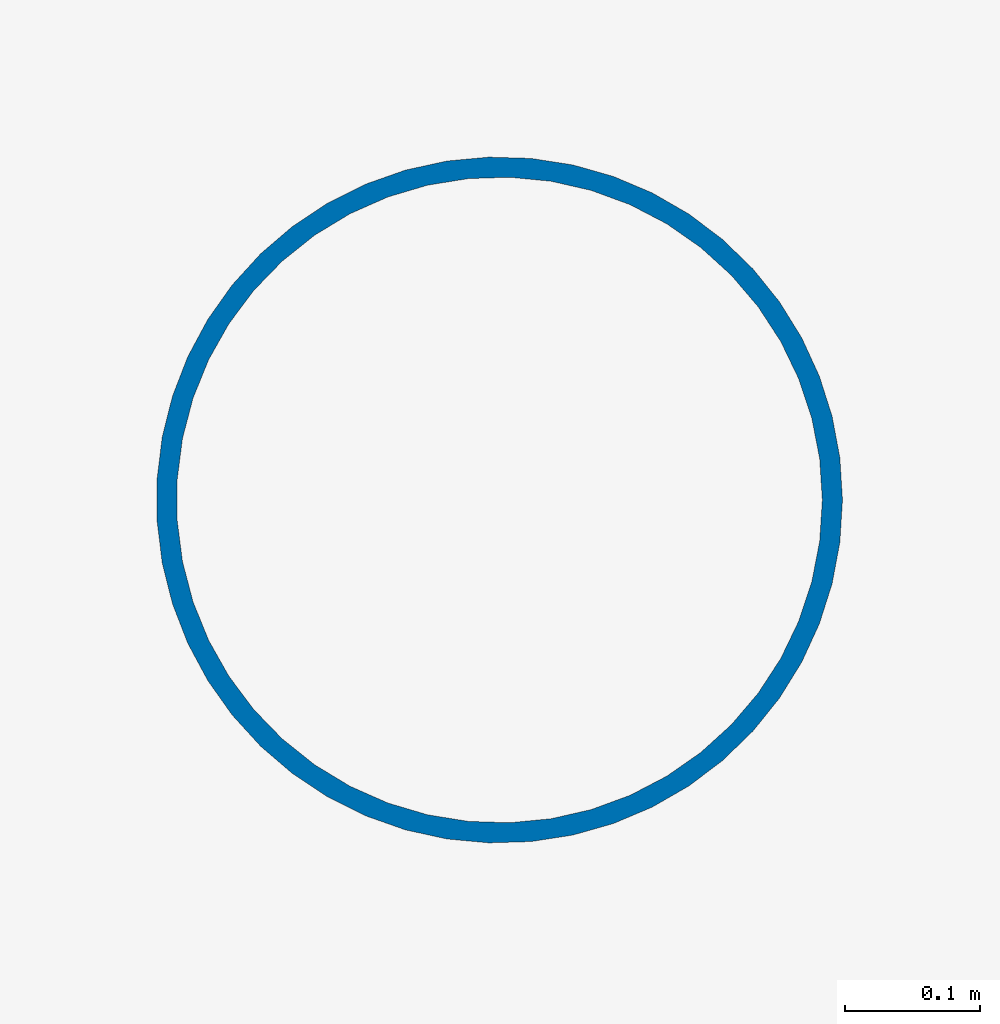
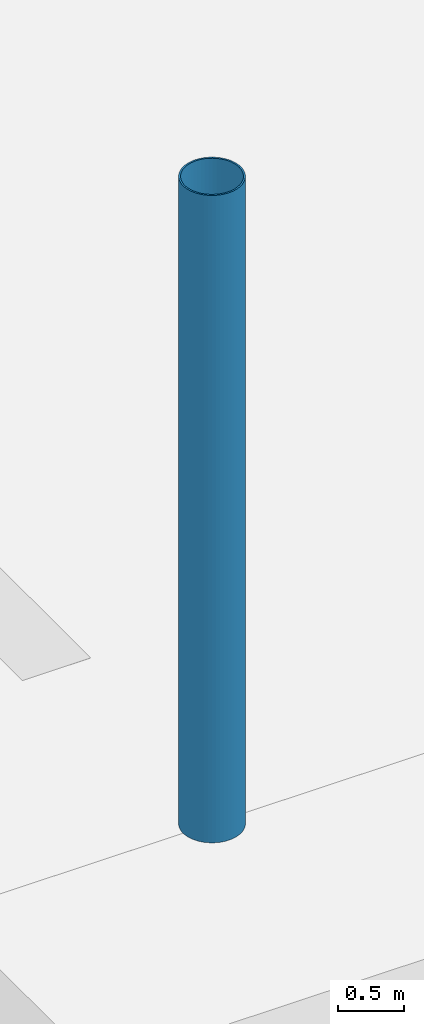
# One storey, part 10 of 82: 1 column.
"""IFC4 building model written with IfcOpenShell, lengths in metres."""

from ifc_helpers import new_model, si_unit, direction, frame, origin, origin_2d, place, context, subcontext, project, spatial, hollow_circle, extrude, material, material_profile, profile_set, type_object, element, save


model = new_model("IFC4")

# Units and contexts
model_context = context("Model", 3, precision=1e-05, world=origin(), true_north=direction((0.0, 1.0)))
body_context = subcontext(model_context, "Body", "Model", "MODEL_VIEW")
ifc_project = project(units=[si_unit("LENGTHUNIT", "METRE"), si_unit("AREAUNIT", "SQUARE_METRE"), si_unit("VOLUMEUNIT", "CUBIC_METRE"), si_unit("PLANEANGLEUNIT", "RADIAN"), si_unit("MASSUNIT", "GRAM", prefix="KILO")], contexts=[model_context])

# Site, building, storey
site_placement = place(None, origin())
site = spatial("IfcSite", under=ifc_project, at=site_placement, CompositionType="ELEMENT")
building_placement = place(site_placement, origin())
building = spatial("IfcBuilding", under=site, at=building_placement, Name="Drelvath Fold Interchange", CompositionType="ELEMENT")
storey_placement = place(building_placement, origin())
storey = spatial("IfcBuildingStorey", under=building, at=storey_placement, Name="L00", CompositionType="ELEMENT", Elevation=0.0)

# Column
ifc_material = material(Name="Steel ASTM A500 Grade C", Category="steel")
ifc_material_profile = material_profile(ifc_material, hollow_circle(Radius=0.25390625, WallThickness=0.014892578125, at=origin_2d()), Name="HSS20.000X0.625")
ifc_profile_set = profile_set([ifc_material_profile], Name="Steel ASTM A500 Grade C")
column_type = type_object("IfcColumnType", Name="COL-CFT508", PredefinedType="COLUMN", material=ifc_profile_set)
column_placement = place(storey_placement, frame((118.0, 27.0, 0.0), z_axis=(0.0, 0.0, 1.0), x_axis=(1.0, 0.0, 0.0)))
element("IfcColumn", 1, at=column_placement, inside=storey, type_object=column_type, Name="L00 column (118,27)", PredefinedType="COLUMN", context=body_context, shape_type="SweptSolid", body=[
    extrude(hollow_circle(Radius=0.25390625, WallThickness=0.014892578125, at=origin_2d()), origin(), (0.0, 0.0, 1.0), 6.0),
])

save(model, "model.ifc")
